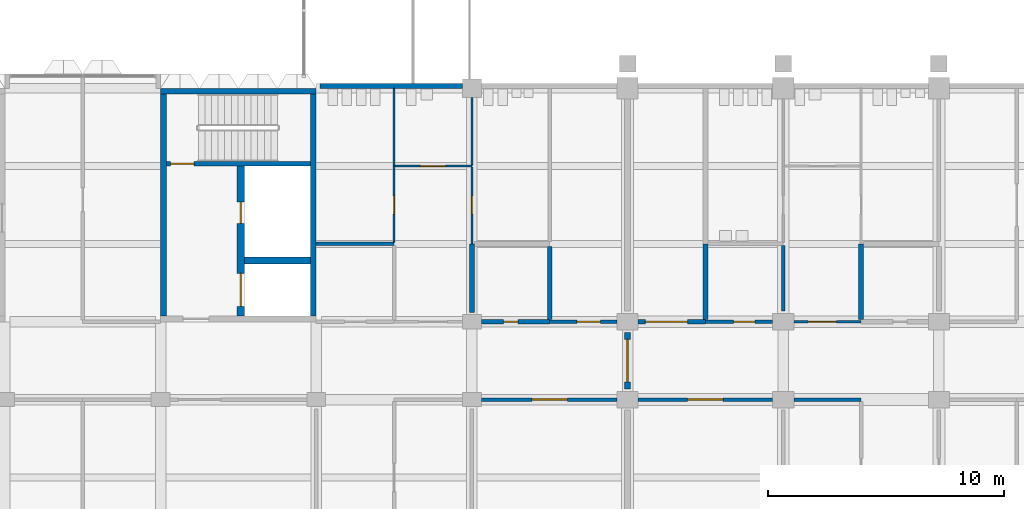
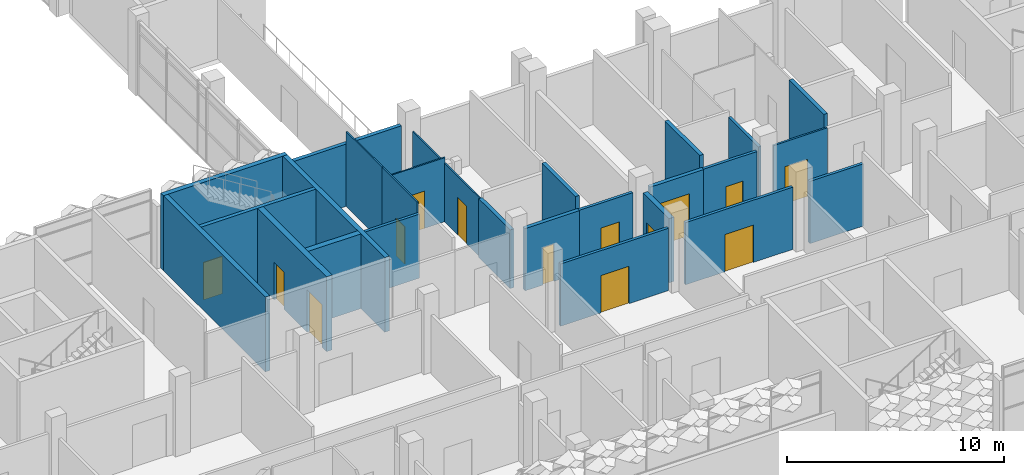
# One storey, part 43 of 102: 27 walls, 14 doors, 14 openings.
"""IFC4 building model written with IfcOpenShell, lengths in metres."""

from ifc_helpers import new_model, si_unit, direction, frame, frame_2d, origin, place, context, subcontext, project, spatial, rectangle, extrude, material, layer, layer_set, type_object, element, fill, save


model = new_model("IFC4")

# Units and contexts
model_context = context("Model", 3, precision=1e-05, world=origin(), true_north=direction((0.0, 1.0)))
body_context = subcontext(model_context, "Body", "Model", "MODEL_VIEW")
ifc_project = project(units=[si_unit("LENGTHUNIT", "METRE"), si_unit("AREAUNIT", "SQUARE_METRE"), si_unit("VOLUMEUNIT", "CUBIC_METRE"), si_unit("PLANEANGLEUNIT", "RADIAN"), si_unit("MASSUNIT", "GRAM", prefix="KILO")], contexts=[model_context])

# Site, building, storey
site_placement = place(None, origin())
site = spatial("IfcSite", under=ifc_project, at=site_placement, CompositionType="ELEMENT")
building_placement = place(site_placement, origin())
building = spatial("IfcBuilding", under=site, at=building_placement, Name="Lantern Court Research Institute", CompositionType="ELEMENT")
storey_placement = place(building_placement, frame((0.0, 0.0, 9.89990234375)))
storey = spatial("IfcBuildingStorey", under=building, at=storey_placement, Name="L02", CompositionType="ELEMENT", Elevation=9.89990234375)

# Wall, opening, door
ifc_material_1 = material(Name="Fire-rated gypsum board partition, mineral wool filled")
ifc_layer_1 = layer(ifc_material_1, 0.199951171875)
ifc_layer_set_1 = layer_set([ifc_layer_1], Name="Fire-rated gypsum board partition, mineral wool filled")
wall_type_1 = type_object("IfcWallType", Name="Compartment wall 200 EI 120", PredefinedType="PARTITIONING", material=ifc_layer_set_1)
wall_1_placement = place(storey_placement, frame((46.60009765625, 13.199951171875, 0.0), z_axis=(0.0, 0.0, 1.0), x_axis=(1.0, 0.0, 0.0)))
wall_1 = element("IfcWall", 1, at=wall_1_placement, inside=storey, type_object=wall_type_1, Name="Compartment wall 200 EI 120", PredefinedType="PARTITIONING", context=body_context, shape_type="SweptSolid", body=[
    extrude(rectangle(XDim=2.89990234375, YDim=0.199951171875, at=frame_2d((1.449951171875, 0.0))), origin(), (0.0, 0.0, 1.0), 3.5),
])
opening_1_placement = place(wall_1_placement, frame((0.949951171875, 0.0, 0.0)))
opening_1 = element("IfcOpeningElement", 2, at=opening_1_placement, cuts=wall_1, Name="Opening D4209", PredefinedType="OPENING", context=body_context, shape_type="SweptSolid", body=[
    extrude(rectangle(XDim=0.60009765625, YDim=2.10009765625, at=frame_2d((0.300048828125, 1.050048828125))), frame((0.0, 0.10986328125, 0.0), z_axis=(0.0, -1.0, 0.0), x_axis=(1.0, 0.0, 0.0)), (0.0, 0.0, 1.0), 0.219970703125),
])
ifc_material_2 = material(Name="Solid-core timber door leaf", Category="wood")
ifc_layer_2 = layer(ifc_material_2, 0.06005859375)
ifc_layer_set_2 = layer_set([ifc_layer_2], Name="Solid-core timber door leaf")
door_type_1 = type_object("IfcDoorType", Name="Service riser door 600 x 2100 single FD60", OperationType="NOTDEFINED", PredefinedType="DOOR", material=ifc_layer_set_2)
door_1_placement = place(opening_1_placement, origin())
door_1 = element("IfcDoor", 3, at=door_1_placement, inside=storey, type_object=door_type_1, Name="Door D4209", OperationType="SINGLE_SWING_RIGHT", OverallHeight=2.10009765625, OverallWidth=0.60009765625, PredefinedType="DOOR", context=body_context, shape_type="SweptSolid", body=[
    extrude(rectangle(XDim=0.60009765625, YDim=2.10009765625, at=frame_2d((0.300048828125, 1.050048828125))), frame((0.0, 0.030029296875, 0.0), z_axis=(0.0, -1.0, 0.0), x_axis=(1.0, 0.0, 0.0)), (0.0, 0.0, 1.0), 0.06005859375),
])
fill(opening_1, door_1)

# Walls
wall_2_placement = place(storey_placement, frame((46.199951171875, 13.60009765625, 0.0), z_axis=(0.0, 0.0, 1.0), x_axis=(0.0, 1.0, 0.0)))
element("IfcWall", 4, at=wall_2_placement, inside=storey, type_object=wall_type_1, Name="Compartment wall 200 EI 120", PredefinedType="PARTITIONING", context=body_context, shape_type="SweptSolid", body=[
    extrude(rectangle(XDim=2.89990234375, YDim=0.199951171875, at=frame_2d((1.449951171875, 0.0))), origin(), (0.0, 0.0, 1.0), 3.300048828125),
])
wall_3_placement = place(storey_placement, frame((49.5, 13.300048828125, 0.0), z_axis=(0.0, 0.0, 1.0), x_axis=(0.0, 1.0, 0.0)))
element("IfcWall", 5, at=wall_3_placement, inside=storey, type_object=wall_type_1, Name="Compartment wall 200 EI 120", PredefinedType="PARTITIONING", context=body_context, shape_type="SweptSolid", body=[
    extrude(rectangle(XDim=3.099853515625, YDim=0.199951171875, at=frame_2d((1.5498046875, 0.0))), origin(), (0.0, 0.0, 1.0), 4.2001953125),
])

# Wall, opening, door
wall_4_placement = place(storey_placement, frame((56.10009765625, 13.199951171875, 0.0), z_axis=(0.0, 0.0, 1.0), x_axis=(-1.0, 0.0, 0.0)))
wall_4 = element("IfcWall", 6, at=wall_4_placement, inside=storey, type_object=wall_type_1, Name="Compartment wall 200 EI 120", PredefinedType="PARTITIONING", context=body_context, shape_type="SweptSolid", body=[
    extrude(rectangle(XDim=2.85009765625, YDim=0.199951171875, at=frame_2d((1.425048828125, 0.0))), origin(), (0.0, 0.0, 1.0), 3.5),
])
opening_2_placement = place(wall_4_placement, frame((0.75, 0.0, 0.0)))
opening_2 = element("IfcOpeningElement", 7, at=opening_2_placement, cuts=wall_4, Name="Opening D5201", PredefinedType="OPENING", context=body_context, shape_type="SweptSolid", body=[
    extrude(rectangle(XDim=1.800048828125, YDim=2.39990234375, at=frame_2d((0.89990234375, 1.199951171875))), frame((0.0, 0.10986328125, 0.0), z_axis=(0.0, -1.0, 0.0), x_axis=(1.0, 0.0, 0.0)), (0.0, 0.0, 1.0), 0.219970703125),
])
ifc_material_3 = material(Name="Solid-core timber door leaf", Category="wood")
ifc_layer_3 = layer(ifc_material_3, 0.06005859375)
ifc_layer_set_3 = layer_set([ifc_layer_3], Name="Solid-core timber door leaf")
door_type_2 = type_object("IfcDoorType", Name="Gas cylinder store door 1800 x 2400 pair FD60", OperationType="DOUBLE_DOOR_SINGLE_SWING", PredefinedType="DOOR", material=ifc_layer_set_3)
door_2_placement = place(opening_2_placement, origin())
door_2 = element("IfcDoor", 8, at=door_2_placement, inside=storey, type_object=door_type_2, Name="Door D5201", OperationType="DOUBLE_DOOR_SINGLE_SWING", OverallHeight=2.39990234375, OverallWidth=1.800048828125, PredefinedType="DOOR", context=body_context, shape_type="SweptSolid", body=[
    extrude(rectangle(XDim=1.800048828125, YDim=2.39990234375, at=frame_2d((0.89990234375, 1.199951171875))), frame((0.0, 0.030029296875, 0.0), z_axis=(0.0, -1.0, 0.0), x_axis=(1.0, 0.0, 0.0)), (0.0, 0.0, 1.0), 0.06005859375),
])
fill(opening_2, door_2)

# Walls
for number, where, z_axis, x_axis, name in (
    (9, (56.10009765625, 13.300048828125, 0.0), (0.0, 0.0, 1.0), (0.0, 1.0, 0.0), "Compartment wall 200 EI 120"),
    (10, (62.699951171875, 13.300048828125, 0.0), (0.0, 0.0, 1.0), (0.0, 1.0, 0.0), "Compartment wall 200 EI 120"),
):
    element("IfcWall", number, at=place(storey_placement, frame(where, z_axis=z_axis, x_axis=x_axis)), inside=storey, type_object=wall_type_1, Name=name, PredefinedType="PARTITIONING", context=body_context, shape_type="SweptSolid", body=[
        extrude(rectangle(XDim=3.199951171875, YDim=0.199951171875, at=frame_2d((1.60009765625, 0.0))), origin(), (0.0, 0.0, 1.0), 4.2001953125),
    ])

# Wall, opening, door
ifc_material_4 = material(Name="Fire-rated gypsum board partition, mineral wool filled")
ifc_layer_4 = layer(ifc_material_4, 0.14990234375)
ifc_layer_set_4 = layer_set([ifc_layer_4], Name="Fire-rated gypsum board partition, mineral wool filled")
wall_type_2 = type_object("IfcWallType", Name="Laboratory partition 150 EI 60", PredefinedType="PARTITIONING", material=ifc_layer_set_4)
wall_5_placement = place(storey_placement, frame((52.35009765625, 13.199951171875, 0.0), z_axis=(0.0, 0.0, 1.0), x_axis=(-1.0, 0.0, 0.0)))
wall_5 = element("IfcWall", 11, at=wall_5_placement, inside=storey, type_object=wall_type_2, Name="Laboratory partition 150 EI 60", PredefinedType="PARTITIONING", context=body_context, shape_type="SweptSolid", body=[
    extrude(rectangle(XDim=2.85009765625, YDim=0.14990234375, at=frame_2d((1.425048828125, 0.0))), origin(), (0.0, 0.0, 1.0), 3.5),
])
opening_3_placement = place(wall_5_placement, frame((0.699951171875, 0.0, 0.0)))
opening_3 = element("IfcOpeningElement", 12, at=opening_3_placement, cuts=wall_5, Name="Opening D4211", PredefinedType="OPENING", context=body_context, shape_type="SweptSolid", body=[
    extrude(rectangle(XDim=1.0, YDim=2.10009765625, at=frame_2d((0.5, 1.050048828125))), frame((0.0, 0.0849609375, 0.0), z_axis=(0.0, -1.0, 0.0), x_axis=(1.0, 0.0, 0.0)), (0.0, 0.0, 1.0), 0.169921875),
])
ifc_material_5 = material(Name="Solid-core timber door leaf with vision panel", Category="wood")
ifc_layer_5 = layer(ifc_material_5, 0.053955078125)
ifc_layer_set_5 = layer_set([ifc_layer_5], Name="Solid-core timber door leaf with vision panel")
door_type_3 = type_object("IfcDoorType", Name="Laboratory door 1000 x 2100 single FD30S", OperationType="NOTDEFINED", PredefinedType="DOOR", material=ifc_layer_set_5)
door_3_placement = place(opening_3_placement, origin())
door_3 = element("IfcDoor", 13, at=door_3_placement, inside=storey, type_object=door_type_3, Name="Door D4211", OperationType="SINGLE_SWING_LEFT", OverallHeight=2.10009765625, OverallWidth=1.0, PredefinedType="DOOR", context=body_context, shape_type="SweptSolid", body=[
    extrude(rectangle(XDim=1.0, YDim=2.10009765625, at=frame_2d((0.5, 1.050048828125))), frame((0.0, 0.02685546875, 0.0), z_axis=(0.0, -1.0, 0.0), x_axis=(1.0, 0.0, 0.0)), (0.0, 0.0, 1.0), 0.053955078125),
])
fill(opening_3, door_3)

wall_6_placement = place(storey_placement, frame((46.60009765625, 9.89990234375, 0.0), z_axis=(0.0, 0.0, 1.0), x_axis=(1.0, 0.0, 0.0)))
wall_6 = element("IfcWall", 14, at=wall_6_placement, inside=storey, type_object=wall_type_2, Name="Laboratory partition 150 EI 60", PredefinedType="PARTITIONING", context=body_context, shape_type="SweptSolid", body=[
    extrude(rectangle(XDim=5.75, YDim=0.14990234375, at=frame_2d((2.875, 0.0))), origin(), (0.0, 0.0, 1.0), 3.5),
])
opening_4_placement = place(wall_6_placement, frame((2.14990234375, 0.0, 0.0)))
opening_4 = element("IfcOpeningElement", 15, at=opening_4_placement, cuts=wall_6, Name="Opening D4229", PredefinedType="OPENING", context=body_context, shape_type="SweptSolid", body=[
    extrude(rectangle(XDim=1.5, YDim=2.10009765625, at=frame_2d((0.75, 1.050048828125))), frame((0.0, 0.0849609375, 0.0), z_axis=(0.0, -1.0, 0.0), x_axis=(1.0, 0.0, 0.0)), (0.0, 0.0, 1.0), 0.169921875),
])
ifc_material_6 = material(Name="Solid-core timber door leaf with vision panel", Category="wood")
ifc_layer_6 = layer(ifc_material_6, 0.053955078125)
ifc_layer_set_6 = layer_set([ifc_layer_6], Name="Solid-core timber door leaf with vision panel")
door_type_4 = type_object("IfcDoorType", Name="Laboratory double door 1500 x 2100 pair FD30S", OperationType="DOUBLE_DOOR_SINGLE_SWING", PredefinedType="DOOR", material=ifc_layer_set_6)
door_4_placement = place(opening_4_placement, origin())
door_4 = element("IfcDoor", 16, at=door_4_placement, inside=storey, type_object=door_type_4, Name="Door D4229", OperationType="DOUBLE_DOOR_SINGLE_SWING", OverallHeight=2.10009765625, OverallWidth=1.5, PredefinedType="DOOR", context=body_context, shape_type="SweptSolid", body=[
    extrude(rectangle(XDim=1.5, YDim=2.10009765625, at=frame_2d((0.75, 1.050048828125))), frame((0.0, 0.02685546875, 0.0), z_axis=(0.0, -1.0, 0.0), x_axis=(1.0, 0.0, 0.0)), (0.0, 0.0, 1.0), 0.053955078125),
])
fill(opening_4, door_4)

# Wall
wall_7_placement = place(storey_placement, frame((42.89990234375, 16.5, 0.0), z_axis=(0.0, 0.0, 1.0), x_axis=(-1.0, 0.0, 0.0)))
element("IfcWall", 17, at=wall_7_placement, inside=storey, type_object=wall_type_2, Name="Laboratory partition 150 EI 60", PredefinedType="PARTITIONING", context=body_context, shape_type="SweptSolid", body=[
    extrude(rectangle(XDim=3.2998046875, YDim=0.14990234375, at=frame_2d((1.64990234375, 0.0))), origin(), (0.0, 0.0, 1.0), 3.60009765625),
])

# Wall, opening, door
wall_8_placement = place(storey_placement, frame((58.949951171875, 13.199951171875, 0.0), z_axis=(0.0, 0.0, 1.0), x_axis=(-1.0, 0.0, 0.0)))
wall_8 = element("IfcWall", 18, at=wall_8_placement, inside=storey, type_object=wall_type_2, Name="Laboratory partition 150 EI 60", PredefinedType="PARTITIONING", context=body_context, shape_type="SweptSolid", body=[
    extrude(rectangle(XDim=2.849853515625, YDim=0.14990234375, at=frame_2d((1.4248046875, 0.0))), origin(), (0.0, 0.0, 1.0), 3.5),
])
opening_5_placement = place(wall_8_placement, frame((0.75, 0.0, 0.0)))
opening_5 = element("IfcOpeningElement", 19, at=opening_5_placement, cuts=wall_8, Name="Opening D5202", PredefinedType="OPENING", context=body_context, shape_type="SweptSolid", body=[
    extrude(rectangle(XDim=0.89990234375, YDim=2.10009765625, at=frame_2d((0.449951171875, 1.050048828125))), frame((0.0, 0.0849609375, 0.0), z_axis=(0.0, -1.0, 0.0), x_axis=(1.0, 0.0, 0.0)), (0.0, 0.0, 1.0), 0.169921875),
])
ifc_material_7 = material(Name="Solid-core timber door leaf", Category="wood")
ifc_layer_7 = layer(ifc_material_7, 0.053955078125)
ifc_layer_set_7 = layer_set([ifc_layer_7], Name="Solid-core timber door leaf")
door_type_5 = type_object("IfcDoorType", Name="Cleaners store door 900 x 2100 single FD30S", OperationType="NOTDEFINED", PredefinedType="DOOR", material=ifc_layer_set_7)
door_5_placement = place(opening_5_placement, origin())
door_5 = element("IfcDoor", 20, at=door_5_placement, inside=storey, type_object=door_type_5, Name="Door D5202", OperationType="SINGLE_SWING_LEFT", OverallHeight=2.10009765625, OverallWidth=0.89990234375, PredefinedType="DOOR", context=body_context, shape_type="SweptSolid", body=[
    extrude(rectangle(XDim=0.89990234375, YDim=2.10009765625, at=frame_2d((0.449951171875, 1.050048828125))), frame((0.0, 0.02685546875, 0.0), z_axis=(0.0, -1.0, 0.0), x_axis=(1.0, 0.0, 0.0)), (0.0, 0.0, 1.0), 0.053955078125),
])
fill(opening_5, door_5)

wall_9_placement = place(storey_placement, frame((53.25, 9.89990234375, 0.0), z_axis=(0.0, 0.0, 1.0), x_axis=(1.0, 0.0, 0.0)))
wall_9 = element("IfcWall", 21, at=wall_9_placement, inside=storey, type_object=wall_type_2, Name="Laboratory partition 150 EI 60", PredefinedType="PARTITIONING", context=body_context, shape_type="SweptSolid", body=[
    extrude(rectangle(XDim=5.699951171875, YDim=0.14990234375, at=frame_2d((2.85009765625, 0.0))), origin(), (0.0, 0.0, 1.0), 3.5),
])
opening_6_placement = place(wall_9_placement, frame((2.10009765625, 0.0, 0.0)))
opening_6 = element("IfcOpeningElement", 22, at=opening_6_placement, cuts=wall_9, Name="Opening D5212", PredefinedType="OPENING", context=body_context, shape_type="SweptSolid", body=[
    extrude(rectangle(XDim=1.5, YDim=2.10009765625, at=frame_2d((0.75, 1.050048828125))), frame((0.0, 0.0849609375, 0.0), z_axis=(0.0, -1.0, 0.0), x_axis=(1.0, 0.0, 0.0)), (0.0, 0.0, 1.0), 0.169921875),
])
door_6_placement = place(opening_6_placement, origin())
door_6 = element("IfcDoor", 23, at=door_6_placement, inside=storey, type_object=door_type_4, Name="Door D5212", OperationType="DOUBLE_DOOR_SINGLE_SWING", OverallHeight=2.10009765625, OverallWidth=1.5, PredefinedType="DOOR", context=body_context, shape_type="SweptSolid", body=[
    extrude(rectangle(XDim=1.5, YDim=2.10009765625, at=frame_2d((0.75, 1.050048828125))), frame((0.0, 0.02685546875, 0.0), z_axis=(0.0, -1.0, 0.0), x_axis=(1.0, 0.0, 0.0)), (0.0, 0.0, 1.0), 0.053955078125),
])
fill(opening_6, door_6)

# Walls
wall_10_placement = place(storey_placement, frame((59.85009765625, 9.89990234375, 0.0), z_axis=(0.0, 0.0, 1.0), x_axis=(1.0, 0.0, 0.0)))
element("IfcWall", 24, at=wall_10_placement, inside=storey, type_object=wall_type_2, Name="Laboratory partition 150 EI 60", PredefinedType="PARTITIONING", context=body_context, shape_type="SweptSolid", body=[
    extrude(rectangle(XDim=2.849853515625, YDim=0.14990234375, at=frame_2d((1.4248046875, 0.0))), origin(), (0.0, 0.0, 1.0), 3.5),
])
wall_11_placement = place(storey_placement, frame((59.39990234375, 13.64990234375, 0.0), z_axis=(0.0, 0.0, 1.0), x_axis=(0.0, 1.0, 0.0)))
element("IfcWall", 25, at=wall_11_placement, inside=storey, type_object=wall_type_2, Name="Laboratory partition 150 EI 60", PredefinedType="PARTITIONING", context=body_context, shape_type="SweptSolid", body=[
    extrude(rectangle(XDim=2.775146484375, YDim=0.14990234375, at=frame_2d((1.3876953125, 0.0))), origin(), (0.0, 0.0, 1.0), 3.300048828125),
])

# Wall, opening, door
ifc_material_8 = material(Name="Gypsum board partition, mineral wool filled")
ifc_layer_8 = layer(ifc_material_8, 0.10009765625)
ifc_layer_set_8 = layer_set([ifc_layer_8], Name="Gypsum board partition, mineral wool filled")
wall_type_3 = type_object("IfcWallType", Name="Partition 100", PredefinedType="PARTITIONING", material=ifc_layer_set_8)
wall_12_placement = place(storey_placement, frame((59.85009765625, 13.199951171875, 0.0), z_axis=(0.0, 0.0, 1.0), x_axis=(1.0, 0.0, 0.0)))
wall_12 = element("IfcWall", 26, at=wall_12_placement, inside=storey, type_object=wall_type_3, Name="Partition 100", PredefinedType="PARTITIONING", context=body_context, shape_type="SweptSolid", body=[
    extrude(rectangle(XDim=2.849853515625, YDim=0.10009765625, at=frame_2d((1.4248046875, 0.0))), origin(), (0.0, 0.0, 1.0), 3.5),
])
opening_7_placement = place(wall_12_placement, frame((0.60009765625, 0.0, 0.0)))
opening_7 = element("IfcOpeningElement", 27, at=opening_7_placement, cuts=wall_12, Name="Opening D5204", PredefinedType="OPENING", context=body_context, shape_type="SweptSolid", body=[
    extrude(rectangle(XDim=1.199951171875, YDim=2.10009765625, at=frame_2d((0.60009765625, 1.050048828125))), frame((0.0, 0.06005859375, 0.0), z_axis=(0.0, -1.0, 0.0), x_axis=(1.0, 0.0, 0.0)), (0.0, 0.0, 1.0), 0.1201171875),
])
ifc_material_9 = material(Name="Solid-core timber door leaf", Category="wood")
ifc_layer_9 = layer(ifc_material_9, 0.0439453125)
ifc_layer_set_9 = layer_set([ifc_layer_9], Name="Solid-core timber door leaf")
door_type_6 = type_object("IfcDoorType", Name="WC vestibule door 1200 x 2100 single NOT RATED", OperationType="NOTDEFINED", PredefinedType="DOOR", material=ifc_layer_set_9)
door_7_placement = place(opening_7_placement, origin())
door_7 = element("IfcDoor", 28, at=door_7_placement, inside=storey, type_object=door_type_6, Name="Door D5204", OperationType="SINGLE_SWING_RIGHT", OverallHeight=2.10009765625, OverallWidth=1.199951171875, PredefinedType="DOOR", context=body_context, shape_type="SweptSolid", body=[
    extrude(rectangle(XDim=1.199951171875, YDim=2.10009765625, at=frame_2d((0.60009765625, 1.050048828125))), frame((0.0, 0.02197265625, 0.0), z_axis=(0.0, -1.0, 0.0), x_axis=(1.0, 0.0, 0.0)), (0.0, 0.0, 1.0), 0.0439453125),
])
fill(opening_7, door_7)

# Wall
ifc_material_10 = material(Name="Fire-rated blockwork", Category="masonry")
ifc_layer_10 = layer(ifc_material_10, 0.199951171875)
ifc_layer_set_10 = layer_set([ifc_layer_10], Name="Fire-rated blockwork")
wall_type_4 = type_object("IfcWallType", Name="Party wall 200 mm EI 120", PredefinedType="PARTITIONING", material=ifc_layer_set_10)
wall_13_placement = place(storey_placement, frame((39.75, 23.199951171875, 0.0), z_axis=(0.0, 0.0, 1.0), x_axis=(1.0, 0.0, 0.0)))
element("IfcWall", 29, at=wall_13_placement, inside=storey, type_object=wall_type_4, Name="Wall V2-L02-001", PredefinedType="PARTITIONING", context=body_context, shape_type="SweptSolid", body=[
    extrude(rectangle(XDim=6.050048828125, YDim=0.199951171875, at=frame_2d((3.02490234375, 0.0))), origin(), (0.0, 0.0, 1.0), 3.5),
])

# Wall, opening, door
ifc_material_11 = material(Name="Fire-rated gypsum board partition, double stud, mineral wool filled")
ifc_layer_11 = layer(ifc_material_11, 0.25)
ifc_layer_set_11 = layer_set([ifc_layer_11], Name="Fire-rated gypsum board partition, double stud, mineral wool filled")
wall_type_5 = type_object("IfcWallType", Name="Plant compartment wall 250 EI 120", PredefinedType="PARTITIONING", material=ifc_layer_set_11)
wall_14_placement = place(storey_placement, frame((52.800048828125, 10.35009765625, 0.0), z_axis=(0.0, 0.0, 1.0), x_axis=(0.0, 1.0, 0.0)))
wall_14 = element("IfcWall", 30, at=wall_14_placement, inside=storey, type_object=wall_type_5, Name="Plant compartment wall 250 EI 120", PredefinedType="PARTITIONING", context=body_context, shape_type="SweptSolid", body=[
    extrude(rectangle(XDim=2.39990234375, YDim=0.25, at=frame_2d((1.199951171875, 0.0))), origin(), (0.0, 0.0, 1.0), 3.60009765625),
])
opening_8_placement = place(wall_14_placement, frame((0.300048828125, 0.0, 0.0)))
opening_8 = element("IfcOpeningElement", 31, at=opening_8_placement, cuts=wall_14, Name="Opening D4201", PredefinedType="OPENING", context=body_context, shape_type="SweptSolid", body=[
    extrude(rectangle(XDim=1.800048828125, YDim=2.10009765625, at=frame_2d((0.89990234375, 1.050048828125))), frame((0.0, 0.135009765625, 0.0), z_axis=(0.0, -1.0, 0.0), x_axis=(1.0, 0.0, 0.0)), (0.0, 0.0, 1.0), 0.27001953125),
])
ifc_material_12 = material(Name="Solid-core timber door leaf", Category="wood")
ifc_layer_12 = layer(ifc_material_12, 0.06005859375)
ifc_layer_set_12 = layer_set([ifc_layer_12], Name="Solid-core timber door leaf")
door_type_7 = type_object("IfcDoorType", Name="Corridor fire door pair door 1800 x 2100 pair FD60", OperationType="DOUBLE_DOOR_SINGLE_SWING", PredefinedType="DOOR", material=ifc_layer_set_12)
door_8_placement = place(opening_8_placement, origin())
door_8 = element("IfcDoor", 32, at=door_8_placement, inside=storey, type_object=door_type_7, Name="Door D4201", OperationType="DOUBLE_DOOR_SINGLE_SWING", OverallHeight=2.10009765625, OverallWidth=1.800048828125, PredefinedType="DOOR", context=body_context, shape_type="SweptSolid", body=[
    extrude(rectangle(XDim=1.800048828125, YDim=2.10009765625, at=frame_2d((0.89990234375, 1.050048828125))), frame((0.0, 0.030029296875, 0.0), z_axis=(0.0, -1.0, 0.0), x_axis=(1.0, 0.0, 0.0)), (0.0, 0.0, 1.0), 0.06005859375),
])
fill(opening_8, door_8)

# Walls
ifc_material_13 = material(Name="Concrete C40/50", Category="concrete")
ifc_layer_13 = layer(ifc_material_13, 0.25)
ifc_layer_set_13 = layer_set([ifc_layer_13], Name="Concrete C40/50")
wall_type_6 = type_object("IfcWallType", Name="RC core wall 250", PredefinedType="SHEAR", material=ifc_layer_set_13)
for number, where, z_axis, x_axis, name in (
    (33, (33.125, 13.449951171875, 0.0), (0.0, 0.0, 1.0), (0.0, 1.0, 0.0), "West wall of core BC-E"),
    (34, (39.47509765625, 13.449951171875, 0.0), (0.0, 0.0, 1.0), (0.0, 1.0, 0.0), "East wall of core BC-E"),
):
    element("IfcWall", number, at=place(storey_placement, frame(where, z_axis=z_axis, x_axis=x_axis)), inside=storey, type_object=wall_type_6, Name=name, PredefinedType="SHEAR", context=body_context, shape_type="SweptSolid", body=[
        extrude(rectangle(XDim=9.400146484375, YDim=0.25, at=frame_2d((4.7001953125, 0.0))), origin(), (0.0, 0.0, 1.0), 4.2001953125),
    ])
ifc_material_14 = material(Name="Concrete C40/50", Category="concrete")
ifc_layer_14 = layer(ifc_material_14, 0.25)
ifc_layer_set_14 = layer_set([ifc_layer_14], Name="Concrete C40/50")
wall_type_7 = type_object("IfcWallType", Name="RC core wall 250 facade", PredefinedType="SHEAR", material=ifc_layer_set_14)
wall_15_placement = place(storey_placement, frame((33.0, 22.97509765625, 0.0), z_axis=(0.0, 0.0, 1.0), x_axis=(1.0, 0.0, 0.0)))
element("IfcWall", 35, at=wall_15_placement, inside=storey, type_object=wall_type_7, Name="North wall of core BC-E", PredefinedType="SHEAR", context=body_context, shape_type="SweptSolid", body=[
    extrude(rectangle(XDim=6.60009765625, YDim=0.25, at=frame_2d((3.300048828125, 0.0))), origin(), (0.0, 0.0, 1.0), 4.2001953125),
])

# Wall, opening, door
ifc_material_15 = material(Name="Concrete C40/50", Category="concrete")
ifc_layer_15 = layer(ifc_material_15, 0.199951171875)
ifc_layer_set_15 = layer_set([ifc_layer_15], Name="Concrete C40/50")
wall_type_8 = type_object("IfcWallType", Name="RC shaft wall 200", PredefinedType="SHEAR", material=ifc_layer_set_15)
wall_16_placement = place(storey_placement, frame((33.25, 19.89990234375, 0.0), z_axis=(0.0, 0.0, 1.0), x_axis=(1.0, 0.0, 0.0)))
wall_16 = element("IfcWall", 36, at=wall_16_placement, inside=storey, type_object=wall_type_8, Name="Stair wall of core BC-E", PredefinedType="SHEAR", context=body_context, shape_type="SweptSolid", body=[
    extrude(rectangle(XDim=6.10009765625, YDim=0.199951171875, at=frame_2d((3.050048828125, 0.0))), origin(), (0.0, 0.0, 1.0), 4.2001953125),
])
opening_9_placement = place(wall_16_placement, frame((0.175048828125, 0.0, 0.0)))
opening_9 = element("IfcOpeningElement", 37, at=opening_9_placement, cuts=wall_16, Name="Opening D7081", PredefinedType="OPENING", context=body_context, shape_type="SweptSolid", body=[
    extrude(rectangle(XDim=1.0, YDim=2.10009765625, at=frame_2d((0.5, 1.050048828125))), frame((0.0, 0.10986328125, 0.0), z_axis=(0.0, -1.0, 0.0), x_axis=(1.0, 0.0, 0.0)), (0.0, 0.0, 1.0), 0.219970703125),
])
ifc_material_16 = material(Name="Steel fire door leaf with smoke seals", Category="steel")
door_type_8 = type_object("IfcDoorType", Name="Door 1000 x 2100 fire rated FD60S", OperationType="NOTDEFINED", PredefinedType="DOOR", material=ifc_material_16)
door_9_placement = place(opening_9_placement, origin())
door_9 = element("IfcDoor", 38, at=door_9_placement, inside=storey, type_object=door_type_8, Name="Stair door", OperationType="SINGLE_SWING_RIGHT", OverallHeight=2.10009765625, OverallWidth=1.0, PredefinedType="DOOR", context=body_context, shape_type="SweptSolid", body=[
    extrude(rectangle(XDim=1.0, YDim=2.10009765625, at=frame_2d((0.5, 1.050048828125))), frame((0.0, 0.02490234375, 0.0), z_axis=(0.0, -1.0, 0.0), x_axis=(1.0, 0.0, 0.0)), (0.0, 0.0, 1.0), 0.050048828125),
])
fill(opening_9, door_9)

# Wall, openings, doors
ifc_material_17 = material(Name="Concrete C40/50", Category="concrete")
ifc_layer_16 = layer(ifc_material_17, 0.300048828125)
ifc_layer_set_16 = layer_set([ifc_layer_16], Name="Concrete C40/50")
wall_type_9 = type_object("IfcWallType", Name="RC shaft wall 300", PredefinedType="SHEAR", material=ifc_layer_set_16)
wall_17_placement = place(storey_placement, frame((36.39990234375, 13.449951171875, 0.0), z_axis=(0.0, 0.0, 1.0), x_axis=(0.0, 1.0, 0.0)))
wall_17 = element("IfcWall", 39, at=wall_17_placement, inside=storey, type_object=wall_type_9, Name="Lift shaft wall of core BC-E", PredefinedType="SHEAR", context=body_context, shape_type="SweptSolid", body=[
    extrude(rectangle(XDim=6.35009765625, YDim=0.300048828125, at=frame_2d((3.175048828125, 0.0))), origin(), (0.0, 0.0, 1.0), 4.2001953125),
])
opening_10_placement = place(wall_17_placement, frame((3.925048828125, 0.0, 0.0)))
opening_10 = element("IfcOpeningElement", 40, at=opening_10_placement, cuts=wall_17, Name="Opening D7079", PredefinedType="OPENING", context=body_context, shape_type="SweptSolid", body=[
    extrude(rectangle(XDim=0.89990234375, YDim=2.10009765625, at=frame_2d((0.449951171875, 1.050048828125))), frame((0.0, 0.159912109375, 0.0), z_axis=(0.0, -1.0, 0.0), x_axis=(1.0, 0.0, 0.0)), (0.0, 0.0, 1.0), 0.320068359375),
])
opening_11_placement = place(wall_17_placement, frame((0.39990234375, 0.0, 0.0)))
opening_11 = element("IfcOpeningElement", 41, at=opening_11_placement, cuts=wall_17, Name="Opening D7082", PredefinedType="OPENING", context=body_context, shape_type="SweptSolid", body=[
    extrude(rectangle(XDim=1.39990234375, YDim=2.39990234375, at=frame_2d((0.699951171875, 1.199951171875))), frame((0.0, 0.159912109375, 0.0), z_axis=(0.0, -1.0, 0.0), x_axis=(1.0, 0.0, 0.0)), (0.0, 0.0, 1.0), 0.320068359375),
])
ifc_material_18 = material(Name="Steel fire door leaf", Category="steel")
door_type_9 = type_object("IfcDoorType", Name="Door 900 x 2100 fire rated FD60", OperationType="NOTDEFINED", PredefinedType="DOOR", material=ifc_material_18)
door_10_placement = place(opening_10_placement, origin())
door_10 = element("IfcDoor", 42, at=door_10_placement, inside=storey, type_object=door_type_9, Name="Riser door", OperationType="SINGLE_SWING_RIGHT", OverallHeight=2.10009765625, OverallWidth=0.89990234375, PredefinedType="DOOR", context=body_context, shape_type="SweptSolid", body=[
    extrude(rectangle(XDim=0.89990234375, YDim=2.10009765625, at=frame_2d((0.449951171875, 1.050048828125))), frame((0.0, 0.02490234375, 0.0), z_axis=(0.0, -1.0, 0.0), x_axis=(1.0, 0.0, 0.0)), (0.0, 0.0, 1.0), 0.050048828125),
])
fill(opening_10, door_10)
ifc_material_19 = material(Name="Stainless steel landing door panels", Category="steel")
door_type_10 = type_object("IfcDoorType", Name="Lift landing door 1400 x 2400 sliding FD60", OperationType="DOUBLE_DOOR_SLIDING", PredefinedType="NOTDEFINED", material=ifc_material_19)
door_11_placement = place(opening_11_placement, origin())
door_11 = element("IfcDoor", 43, at=door_11_placement, inside=storey, type_object=door_type_10, Name="Landing door", OperationType="DOUBLE_DOOR_SLIDING", OverallHeight=2.39990234375, OverallWidth=1.39990234375, PredefinedType="NOTDEFINED", context=body_context, shape_type="SweptSolid", body=[
    extrude(rectangle(XDim=1.39990234375, YDim=2.39990234375, at=frame_2d((0.699951171875, 1.199951171875))), frame((0.0, 0.02490234375, 0.0), z_axis=(0.0, -1.0, 0.0), x_axis=(1.0, 0.0, 0.0)), (0.0, 0.0, 1.0), 0.050048828125),
])
fill(opening_11, door_11)

# Wall
wall_18_placement = place(storey_placement, frame((36.550048828125, 15.800048828125, 0.0), z_axis=(0.0, 0.0, 1.0), x_axis=(1.0, 0.0, 0.0)))
element("IfcWall", 44, at=wall_18_placement, inside=storey, type_object=wall_type_9, Name="Lift shaft wall of core BC-E", PredefinedType="SHEAR", context=body_context, shape_type="SweptSolid", body=[
    extrude(rectangle(XDim=2.800048828125, YDim=0.300048828125, at=frame_2d((1.39990234375, 0.0))), origin(), (0.0, 0.0, 1.0), 4.2001953125),
])

# Wall, opening, door
ifc_material_20 = material(Name="Gypsum board partition, mineral wool filled")
ifc_layer_17 = layer(ifc_material_20, 0.074951171875)
ifc_layer_set_17 = layer_set([ifc_layer_17], Name="Gypsum board partition, mineral wool filled")
wall_type_10 = type_object("IfcWallType", Name="Wet room partition 75", PredefinedType="PARTITIONING", material=ifc_layer_set_17)
wall_19_placement = place(storey_placement, frame((42.89990234375, 16.574951171875, 0.0), z_axis=(0.0, 0.0, 1.0), x_axis=(0.0, 1.0, 0.0)))
wall_19 = element("IfcWall", 45, at=wall_19_placement, inside=storey, type_object=wall_type_10, Name="Wet room partition 75", PredefinedType="PARTITIONING", context=body_context, shape_type="SweptSolid", body=[
    extrude(rectangle(XDim=3.22509765625, YDim=0.074951171875, at=frame_2d((1.612548828125, 0.0))), origin(), (0.0, 0.0, 1.0), 4.2001953125),
])
opening_12_placement = place(wall_19_placement, frame((1.175048828125, 0.0, 0.0)))
opening_12 = element("IfcOpeningElement", 46, at=opening_12_placement, cuts=wall_19, Name="Opening D4206", PredefinedType="OPENING", context=body_context, shape_type="SweptSolid", body=[
    extrude(rectangle(XDim=0.800048828125, YDim=2.10009765625, at=frame_2d((0.39990234375, 1.050048828125))), frame((0.0, 0.04736328125, 0.0), z_axis=(0.0, -1.0, 0.0), x_axis=(1.0, 0.0, 0.0)), (0.0, 0.0, 1.0), 0.094970703125),
])
ifc_material_21 = material(Name="Solid-core timber door leaf", Category="wood")
ifc_layer_18 = layer(ifc_material_21, 0.0439453125)
ifc_layer_set_18 = layer_set([ifc_layer_18], Name="Solid-core timber door leaf")
door_type_11 = type_object("IfcDoorType", Name="WC door 800 x 2100 single NOT RATED", OperationType="NOTDEFINED", PredefinedType="DOOR", material=ifc_layer_set_18)
door_12_placement = place(opening_12_placement, origin())
door_12 = element("IfcDoor", 47, at=door_12_placement, inside=storey, type_object=door_type_11, Name="Door D4206", OperationType="SINGLE_SWING_LEFT", OverallHeight=2.10009765625, OverallWidth=0.800048828125, PredefinedType="DOOR", context=body_context, shape_type="SweptSolid", body=[
    extrude(rectangle(XDim=0.800048828125, YDim=2.10009765625, at=frame_2d((0.39990234375, 1.050048828125))), frame((0.0, 0.02197265625, 0.0), z_axis=(0.0, -1.0, 0.0), x_axis=(1.0, 0.0, 0.0)), (0.0, 0.0, 1.0), 0.0439453125),
])
fill(opening_12, door_12)

# Wall
wall_20_placement = place(storey_placement, frame((42.89990234375, 19.800048828125, 0.0), z_axis=(0.0, 0.0, 1.0), x_axis=(0.0, 1.0, 0.0)))
element("IfcWall", 48, at=wall_20_placement, inside=storey, type_object=wall_type_10, Name="Wet room partition 75", PredefinedType="PARTITIONING", context=body_context, shape_type="SweptSolid", body=[
    extrude(rectangle(XDim=3.300048828125, YDim=0.074951171875, at=frame_2d((1.64990234375, 0.0))), origin(), (0.0, 0.0, 1.0), 4.2001953125),
])

# Wall, opening, door
wall_21_placement = place(storey_placement, frame((42.9375, 19.800048828125, 0.0), z_axis=(0.0, 0.0, 1.0), x_axis=(1.0, 0.0, 0.0)))
wall_21 = element("IfcWall", 49, at=wall_21_placement, inside=storey, type_object=wall_type_10, Name="Wet room partition 75", PredefinedType="PARTITIONING", context=body_context, shape_type="SweptSolid", body=[
    extrude(rectangle(XDim=3.262451171875, YDim=0.074951171875, at=frame_2d((1.63134765625, 0.0))), origin(), (0.0, 0.0, 1.0), 3.60009765625),
])
opening_13_placement = place(wall_21_placement, frame((1.0625, 0.0, 0.0)))
opening_13 = element("IfcOpeningElement", 50, at=opening_13_placement, cuts=wall_21, Name="Opening D4208", PredefinedType="OPENING", context=body_context, shape_type="SweptSolid", body=[
    extrude(rectangle(XDim=1.10009765625, YDim=2.10009765625, at=frame_2d((0.550048828125, 1.050048828125))), frame((0.0, 0.04736328125, 0.0), z_axis=(0.0, -1.0, 0.0), x_axis=(1.0, 0.0, 0.0)), (0.0, 0.0, 1.0), 0.094970703125),
])
ifc_material_22 = material(Name="Solid-core timber door leaf", Category="wood")
ifc_layer_19 = layer(ifc_material_22, 0.0439453125)
ifc_layer_set_19 = layer_set([ifc_layer_19], Name="Solid-core timber door leaf")
door_type_12 = type_object("IfcDoorType", Name="Accessible WC door 1100 x 2100 single NOT RATED", OperationType="NOTDEFINED", PredefinedType="DOOR", material=ifc_layer_set_19)
door_13_placement = place(opening_13_placement, origin())
door_13 = element("IfcDoor", 51, at=door_13_placement, inside=storey, type_object=door_type_12, Name="Door D4208", OperationType="SINGLE_SWING_RIGHT", OverallHeight=2.10009765625, OverallWidth=1.10009765625, PredefinedType="DOOR", context=body_context, shape_type="SweptSolid", body=[
    extrude(rectangle(XDim=1.10009765625, YDim=2.10009765625, at=frame_2d((0.550048828125, 1.050048828125))), frame((0.0, 0.02197265625, 0.0), z_axis=(0.0, -1.0, 0.0), x_axis=(1.0, 0.0, 0.0)), (0.0, 0.0, 1.0), 0.0439453125),
])
fill(opening_13, door_13)

wall_22_placement = place(storey_placement, frame((46.199951171875, 19.762451171875, 0.0), z_axis=(0.0, 0.0, 1.0), x_axis=(0.0, -1.0, 0.0)))
wall_22 = element("IfcWall", 52, at=wall_22_placement, inside=storey, type_object=wall_type_10, Name="Wet room partition 75", PredefinedType="PARTITIONING", context=body_context, shape_type="SweptSolid", body=[
    extrude(rectangle(XDim=3.262451171875, YDim=0.074951171875, at=frame_2d((1.63134765625, 0.0))), origin(), (0.0, 0.0, 1.0), 3.300048828125),
])
opening_14_placement = place(wall_22_placement, frame((1.21240234375, 0.0, 0.0)))
opening_14 = element("IfcOpeningElement", 53, at=opening_14_placement, cuts=wall_22, Name="Opening D4210", PredefinedType="OPENING", context=body_context, shape_type="SweptSolid", body=[
    extrude(rectangle(XDim=0.800048828125, YDim=2.10009765625, at=frame_2d((0.39990234375, 1.050048828125))), frame((0.0, 0.04736328125, 0.0), z_axis=(0.0, -1.0, 0.0), x_axis=(1.0, 0.0, 0.0)), (0.0, 0.0, 1.0), 0.094970703125),
])
door_14_placement = place(opening_14_placement, origin())
door_14 = element("IfcDoor", 54, at=door_14_placement, inside=storey, type_object=door_type_11, Name="Door D4210", OperationType="SINGLE_SWING_RIGHT", OverallHeight=2.10009765625, OverallWidth=0.800048828125, PredefinedType="DOOR", context=body_context, shape_type="SweptSolid", body=[
    extrude(rectangle(XDim=0.800048828125, YDim=2.10009765625, at=frame_2d((0.39990234375, 1.050048828125))), frame((0.0, 0.02197265625, 0.0), z_axis=(0.0, -1.0, 0.0), x_axis=(1.0, 0.0, 0.0)), (0.0, 0.0, 1.0), 0.0439453125),
])
fill(opening_14, door_14)

# Wall
wall_23_placement = place(storey_placement, frame((46.199951171875, 19.83740234375, 0.0), z_axis=(0.0, 0.0, 1.0), x_axis=(0.0, 1.0, 0.0)))
element("IfcWall", 55, at=wall_23_placement, inside=storey, type_object=wall_type_10, Name="Wet room partition 75", PredefinedType="PARTITIONING", context=body_context, shape_type="SweptSolid", body=[
    extrude(rectangle(XDim=2.862548828125, YDim=0.074951171875, at=frame_2d((1.43115234375, 0.0))), origin(), (0.0, 0.0, 1.0), 3.300048828125),
])

save(model, "model.ifc")
